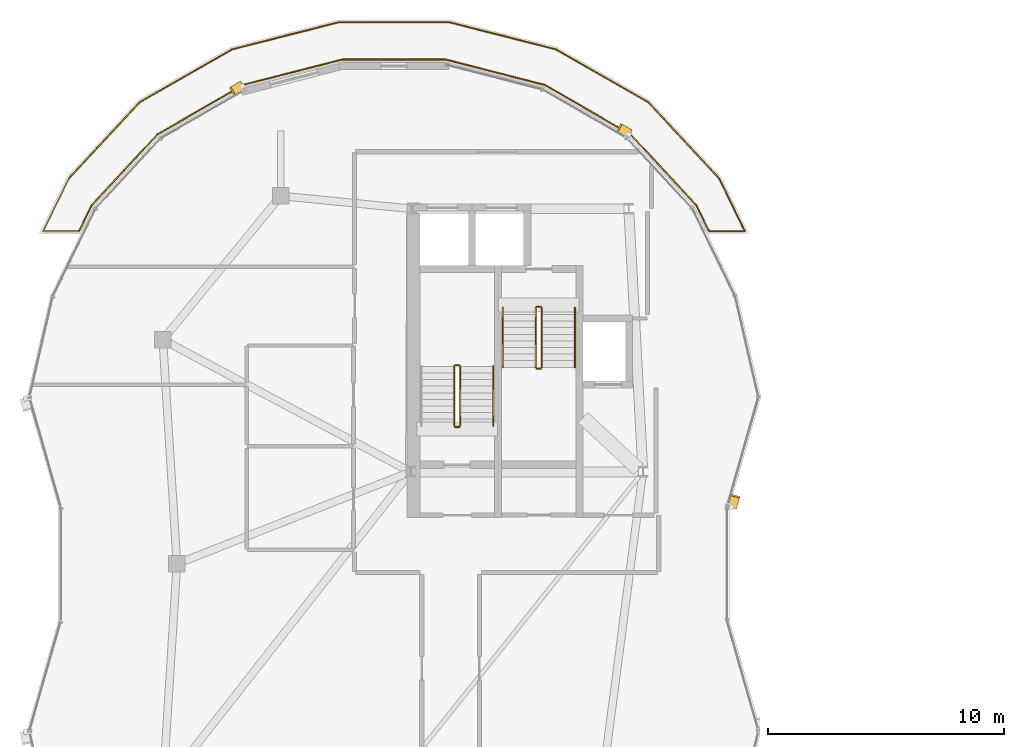
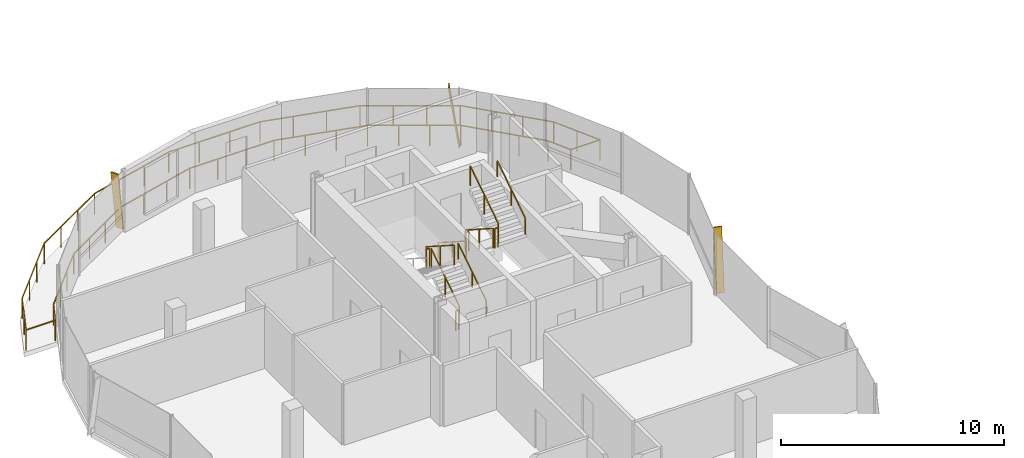
# One storey, part 18 of 20: 21 railings, 3 shading devices.
"""IFC4 building model written with IfcOpenShell, lengths in metres."""

from ifc_helpers import new_model, si_unit, direction, frame, origin, origin_2d, place, context, subcontext, project, spatial, rectangle, extrude, material, material_profile, profile_set, type_object, element, save


model = new_model("IFC4")

# Units and contexts
model_context = context("Model", 3, precision=1e-05, world=origin(), true_north=direction((0.0, 1.0)))
body_context = subcontext(model_context, "Body", "Model", "MODEL_VIEW")
ifc_project = project(units=[si_unit("LENGTHUNIT", "METRE"), si_unit("AREAUNIT", "SQUARE_METRE"), si_unit("VOLUMEUNIT", "CUBIC_METRE"), si_unit("PLANEANGLEUNIT", "RADIAN"), si_unit("MASSUNIT", "GRAM", prefix="KILO"), si_unit("THERMODYNAMICTEMPERATUREUNIT", "KELVIN"), si_unit("POWERUNIT", "WATT")], contexts=[model_context])

# Site, building, storey
site_placement = place(None, origin())
site = spatial("IfcSite", under=ifc_project, at=site_placement, CompositionType="ELEMENT")
building_placement = place(site_placement, origin())
building = spatial("IfcBuilding", under=site, at=building_placement, Name="Cundina Bronze Exchange", CompositionType="ELEMENT")
storey_placement = place(building_placement, frame((0.0, 0.0, 279.199951171875)))
storey = spatial("IfcBuildingStorey", under=building, at=storey_placement, Name="L74", CompositionType="ELEMENT", Elevation=279.199951171875)

# Railings
ifc_material_1 = material(Name="Anodised Bronze Aluminium 6063-T6", Category="aluminium")
railing_type_1 = type_object("IfcRailingType", Name="RLG-GRD-1150", PredefinedType="GUARDRAIL", material=ifc_material_1)
railing_1_placement = place(storey_placement, frame((-45.775634765625, 16.34765625, 0.0)))
element("IfcRailing", 1, at=railing_1_placement, inside=storey, type_object=railing_type_1, Name="L74 Perimeter Safety Guardrail 01", PredefinedType="GUARDRAIL", context=body_context, shape_type="SweptSolid", body=[
    extrude(rectangle(XDim=0.048095703125, YDim=0.048095703125, at=origin_2d()), frame((0.0, 0.0, 1.1259765625), z_axis=(0.6814708466, 0.731845260444, 0.0), x_axis=(-0.731845260444, 0.6814708466, 0.0)), (0.0, 0.0, 1.0), 4.395751953125),
    extrude(rectangle(XDim=0.048095703125, YDim=0.048095703125, at=origin_2d()), frame((2.99560546875, 3.217041015625, 1.1259765625), z_axis=(0.867447732917, 0.497528321462, 0.0), x_axis=(-0.497528321462, 0.867447732917, 0.0)), (0.0, 0.0, 1.0), 4.501708984375),
    extrude(rectangle(XDim=0.0419921875, YDim=0.0419921875, at=origin_2d()), origin(), (0.0, 0.0, 1.0), 1.101806640625),
    extrude(rectangle(XDim=0.0419921875, YDim=0.0419921875, at=origin_2d()), frame((0.99853515625, 1.072265625, 0.0)), (0.0, 0.0, 1.0), 1.101806640625),
    extrude(rectangle(XDim=0.0419921875, YDim=0.0419921875, at=origin_2d()), frame((1.9970703125, 2.144775390625, 0.0)), (0.0, 0.0, 1.0), 1.101806640625),
    extrude(rectangle(XDim=0.0419921875, YDim=0.0419921875, at=origin_2d()), frame((2.99560546875, 3.217041015625, 0.0)), (0.0, 0.0, 1.0), 1.101806640625),
    extrude(rectangle(XDim=0.0419921875, YDim=0.0419921875, at=origin_2d()), frame((4.29736328125, 3.963623046875, 0.0)), (0.0, 0.0, 1.0), 1.101806640625),
    extrude(rectangle(XDim=0.0419921875, YDim=0.0419921875, at=origin_2d()), frame((5.598876953125, 4.710205078125, 0.0)), (0.0, 0.0, 1.0), 1.101806640625),
    extrude(rectangle(XDim=0.0419921875, YDim=0.0419921875, at=origin_2d()), frame((6.900634765625, 5.456787109375, 0.0)), (0.0, 0.0, 1.0), 1.101806640625),
])
railing_2_placement = place(storey_placement, frame((-38.875, 21.804443359375, 0.0)))
element("IfcRailing", 2, at=railing_2_placement, inside=storey, type_object=railing_type_1, Name="L74 Perimeter Safety Guardrail 02", PredefinedType="GUARDRAIL", context=body_context, shape_type="SweptSolid", body=[
    extrude(rectangle(XDim=0.048095703125, YDim=0.048095703125, at=origin_2d()), frame((0.0, 0.0, 1.1259765625), z_axis=(0.969056834208, 0.246837703916, 0.0), x_axis=(-0.246837703916, 0.969056834208, 0.0)), (0.0, 0.0, 1.0), 4.657470703125),
    extrude(rectangle(XDim=0.048095703125, YDim=0.048095703125, at=origin_2d()), frame((4.513427734375, 1.149658203125, 1.1259765625), z_axis=(1.0, 0.0, 0.0), x_axis=(0.0, 1.0, 0.0)), (0.0, 0.0, 1.0), 4.72314453125),
    extrude(rectangle(XDim=0.0419921875, YDim=0.0419921875, at=origin_2d()), origin(), (0.0, 0.0, 1.0), 1.101806640625),
    extrude(rectangle(XDim=0.0419921875, YDim=0.0419921875, at=origin_2d()), frame((1.50439453125, 0.38330078125, 0.0)), (0.0, 0.0, 1.0), 1.101806640625),
    extrude(rectangle(XDim=0.0419921875, YDim=0.0419921875, at=origin_2d()), frame((3.009033203125, 0.766357421875, 0.0)), (0.0, 0.0, 1.0), 1.101806640625),
    extrude(rectangle(XDim=0.0419921875, YDim=0.0419921875, at=origin_2d()), frame((4.513427734375, 1.149658203125, 0.0)), (0.0, 0.0, 1.0), 1.101806640625),
    extrude(rectangle(XDim=0.0419921875, YDim=0.0419921875, at=origin_2d()), frame((6.087890625, 1.149658203125, 0.0)), (0.0, 0.0, 1.0), 1.101806640625),
    extrude(rectangle(XDim=0.0419921875, YDim=0.0419921875, at=origin_2d()), frame((7.662109375, 1.149658203125, 0.0)), (0.0, 0.0, 1.0), 1.101806640625),
    extrude(rectangle(XDim=0.0419921875, YDim=0.0419921875, at=origin_2d()), frame((9.236572265625, 1.149658203125, 0.0)), (0.0, 0.0, 1.0), 1.101806640625),
])
railing_3_placement = place(storey_placement, frame((-29.638427734375, 22.9541015625, 0.0)))
element("IfcRailing", 3, at=railing_3_placement, inside=storey, type_object=railing_type_1, Name="L74 Perimeter Safety Guardrail 03", PredefinedType="GUARDRAIL", context=body_context, shape_type="SweptSolid", body=[
    extrude(rectangle(XDim=0.048095703125, YDim=0.048095703125, at=origin_2d()), frame((0.0, 0.0, 1.1259765625), z_axis=(0.969056834208, -0.246837703916, 0.0), x_axis=(0.246837703916, 0.969056834208, 0.0)), (0.0, 0.0, 1.0), 4.657470703125),
    extrude(rectangle(XDim=0.048095703125, YDim=0.048095703125, at=origin_2d()), frame((4.513427734375, -1.149658203125, 1.1259765625), z_axis=(0.867447732917, -0.497528321462, 0.0), x_axis=(0.497528321462, 0.867447732917, 0.0)), (0.0, 0.0, 1.0), 4.501708984375),
    extrude(rectangle(XDim=0.0419921875, YDim=0.0419921875, at=origin_2d()), origin(), (0.0, 0.0, 1.0), 1.101806640625),
    extrude(rectangle(XDim=0.0419921875, YDim=0.0419921875, at=origin_2d()), frame((1.50439453125, -0.38330078125, 0.0)), (0.0, 0.0, 1.0), 1.101806640625),
    extrude(rectangle(XDim=0.0419921875, YDim=0.0419921875, at=origin_2d()), frame((3.009033203125, -0.766357421875, 0.0)), (0.0, 0.0, 1.0), 1.101806640625),
    extrude(rectangle(XDim=0.0419921875, YDim=0.0419921875, at=origin_2d()), frame((4.513427734375, -1.149658203125, 0.0)), (0.0, 0.0, 1.0), 1.101806640625),
    extrude(rectangle(XDim=0.0419921875, YDim=0.0419921875, at=origin_2d()), frame((5.815185546875, -1.896240234375, 0.0)), (0.0, 0.0, 1.0), 1.101806640625),
    extrude(rectangle(XDim=0.0419921875, YDim=0.0419921875, at=origin_2d()), frame((7.11669921875, -2.642822265625, 0.0)), (0.0, 0.0, 1.0), 1.101806640625),
    extrude(rectangle(XDim=0.0419921875, YDim=0.0419921875, at=origin_2d()), frame((8.41845703125, -3.389404296875, 0.0)), (0.0, 0.0, 1.0), 1.101806640625),
])
railing_4_placement = place(storey_placement, frame((-21.219970703125, 19.564697265625, 0.0)))
element("IfcRailing", 4, at=railing_4_placement, inside=storey, type_object=railing_type_1, Name="L74 Perimeter Safety Guardrail 04", PredefinedType="GUARDRAIL", context=body_context, shape_type="SweptSolid", body=[
    extrude(rectangle(XDim=0.048095703125, YDim=0.048095703125, at=origin_2d()), frame((0.0, 0.0, 1.1259765625), z_axis=(0.6814708466, -0.731845260444, 0.0), x_axis=(0.731845260444, 0.6814708466, 0.0)), (0.0, 0.0, 1.0), 4.395751953125),
    extrude(rectangle(XDim=0.048095703125, YDim=0.048095703125, at=origin_2d()), frame((2.99560546875, -3.217041015625, 1.1259765625), z_axis=(0.439469116008, -0.898257700259, 0.0), x_axis=(0.898257700259, 0.439469116008, 0.0)), (0.0, 0.0, 1.0), 2.502197265625),
    extrude(rectangle(XDim=0.0419921875, YDim=0.0419921875, at=origin_2d()), origin(), (0.0, 0.0, 1.0), 1.101806640625),
    extrude(rectangle(XDim=0.0419921875, YDim=0.0419921875, at=origin_2d()), frame((0.99853515625, -1.072265625, 0.0)), (0.0, 0.0, 1.0), 1.101806640625),
    extrude(rectangle(XDim=0.0419921875, YDim=0.0419921875, at=origin_2d()), frame((1.9970703125, -2.144775390625, 0.0)), (0.0, 0.0, 1.0), 1.101806640625),
    extrude(rectangle(XDim=0.0419921875, YDim=0.0419921875, at=origin_2d()), frame((2.99560546875, -3.217041015625, 0.0)), (0.0, 0.0, 1.0), 1.101806640625),
    extrude(rectangle(XDim=0.0419921875, YDim=0.0419921875, at=origin_2d()), frame((3.54541015625, -4.3408203125, 0.0)), (0.0, 0.0, 1.0), 1.101806640625),
    extrude(rectangle(XDim=0.0419921875, YDim=0.0419921875, at=origin_2d()), frame((4.09521484375, -5.464599609375, 0.0)), (0.0, 0.0, 1.0), 1.101806640625),
])
railing_5_placement = place(storey_placement, frame((-17.124755859375, 14.10009765625, 0.0)))
element("IfcRailing", 5, at=railing_5_placement, inside=storey, type_object=railing_type_1, Name="L74 Perimeter Safety Guardrail 05", PredefinedType="GUARDRAIL", context=body_context, shape_type="SweptSolid", body=[
    extrude(rectangle(XDim=0.048095703125, YDim=0.048095703125, at=origin_2d()), frame((0.0, 0.0, 1.1259765625), z_axis=(-1.0, 0.0, 0.0), x_axis=(0.0, -1.0, 0.0)), (0.0, 0.0, 1.0), 1.5185546875),
    extrude(rectangle(XDim=0.048095703125, YDim=0.048095703125, at=origin_2d()), frame((-1.5185546875, 0.0, 1.1259765625), z_axis=(-0.441657034824, 0.89718396307, 0.0), x_axis=(-0.89718396307, -0.441657034824, 0.0)), (0.0, 0.0, 1.0), 1.232177734375),
    extrude(rectangle(XDim=0.0419921875, YDim=0.0419921875, at=origin_2d()), origin(), (0.0, 0.0, 1.0), 1.101806640625),
    extrude(rectangle(XDim=0.0419921875, YDim=0.0419921875, at=origin_2d()), frame((-1.5185546875, 0.0, 0.0)), (0.0, 0.0, 1.0), 1.101806640625),
    extrude(rectangle(XDim=0.0419921875, YDim=0.0419921875, at=origin_2d()), frame((-2.062744140625, 1.10546875, 0.0)), (0.0, 0.0, 1.0), 1.101806640625),
])
railing_6_placement = place(storey_placement, frame((-19.1875, 15.20556640625, 0.0)))
element("IfcRailing", 6, at=railing_6_placement, inside=storey, type_object=railing_type_1, Name="L74 Perimeter Safety Guardrail 06", PredefinedType="GUARDRAIL", context=body_context, shape_type="SweptSolid", body=[
    extrude(rectangle(XDim=0.048095703125, YDim=0.048095703125, at=origin_2d()), frame((0.0, 0.0, 1.1259765625), z_axis=(-0.680512906309, 0.732736094611, 0.0), x_axis=(-0.732736094611, -0.680512906309, 0.0)), (0.0, 0.0, 1.0), 4.090576171875),
    extrude(rectangle(XDim=0.048095703125, YDim=0.048095703125, at=origin_2d()), frame((-2.78369140625, 2.997314453125, 1.1259765625), z_axis=(-0.866055627774, 0.49994764686, 0.0), x_axis=(-0.49994764686, -0.866055627774, 0.0)), (0.0, 0.0, 1.0), 4.19189453125),
    extrude(rectangle(XDim=0.0419921875, YDim=0.0419921875, at=origin_2d()), origin(), (0.0, 0.0, 1.0), 1.101806640625),
    extrude(rectangle(XDim=0.0419921875, YDim=0.0419921875, at=origin_2d()), frame((-0.927978515625, 0.9990234375, 0.0)), (0.0, 0.0, 1.0), 1.101806640625),
    extrude(rectangle(XDim=0.0419921875, YDim=0.0419921875, at=origin_2d()), frame((-1.855712890625, 1.998291015625, 0.0)), (0.0, 0.0, 1.0), 1.101806640625),
    extrude(rectangle(XDim=0.0419921875, YDim=0.0419921875, at=origin_2d()), frame((-2.78369140625, 2.997314453125, 0.0)), (0.0, 0.0, 1.0), 1.101806640625),
    extrude(rectangle(XDim=0.0419921875, YDim=0.0419921875, at=origin_2d()), frame((-3.993896484375, 3.69580078125, 0.0)), (0.0, 0.0, 1.0), 1.101806640625),
    extrude(rectangle(XDim=0.0419921875, YDim=0.0419921875, at=origin_2d()), frame((-5.203857421875, 4.39453125, 0.0)), (0.0, 0.0, 1.0), 1.101806640625),
    extrude(rectangle(XDim=0.0419921875, YDim=0.0419921875, at=origin_2d()), frame((-6.4140625, 5.093017578125, 0.0)), (0.0, 0.0, 1.0), 1.101806640625),
])
railing_7_placement = place(storey_placement, frame((-25.6015625, 20.298583984375, 0.0)))
element("IfcRailing", 7, at=railing_7_placement, inside=storey, type_object=railing_type_1, Name="L74 Perimeter Safety Guardrail 07", PredefinedType="GUARDRAIL", context=body_context, shape_type="SweptSolid", body=[
    extrude(rectangle(XDim=0.048095703125, YDim=0.048095703125, at=origin_2d()), frame((0.0, 0.0, 1.1259765625), z_axis=(-0.968635825171, 0.248484684025, 0.0), x_axis=(-0.248484684025, -0.968635825171, 0.0)), (0.0, 0.0, 1.0), 4.3515625),
    extrude(rectangle(XDim=0.048095703125, YDim=0.048095703125, at=origin_2d()), frame((-4.215087890625, 1.081298828125, 1.1259765625), z_axis=(-0.999999985988, -0.00016740137, 0.0), x_axis=(0.00016740137, -0.999999985988, 0.0)), (0.0, 0.0, 1.0), 4.375244140625),
    extrude(rectangle(XDim=0.0419921875, YDim=0.0419921875, at=origin_2d()), origin(), (0.0, 0.0, 1.0), 1.101806640625),
    extrude(rectangle(XDim=0.0419921875, YDim=0.0419921875, at=origin_2d()), frame((-1.405029296875, 0.3603515625, 0.0)), (0.0, 0.0, 1.0), 1.101806640625),
    extrude(rectangle(XDim=0.0419921875, YDim=0.0419921875, at=origin_2d()), frame((-2.81005859375, 0.720947265625, 0.0)), (0.0, 0.0, 1.0), 1.101806640625),
    extrude(rectangle(XDim=0.0419921875, YDim=0.0419921875, at=origin_2d()), frame((-4.215087890625, 1.081298828125, 0.0)), (0.0, 0.0, 1.0), 1.101806640625),
    extrude(rectangle(XDim=0.0419921875, YDim=0.0419921875, at=origin_2d()), frame((-5.673583984375, 1.0810546875, 0.0)), (0.0, 0.0, 1.0), 1.101806640625),
    extrude(rectangle(XDim=0.0419921875, YDim=0.0419921875, at=origin_2d()), frame((-7.1318359375, 1.080810546875, 0.0)), (0.0, 0.0, 1.0), 1.101806640625),
    extrude(rectangle(XDim=0.0419921875, YDim=0.0419921875, at=origin_2d()), frame((-8.59033203125, 1.08056640625, 0.0)), (0.0, 0.0, 1.0), 1.101806640625),
])
railing_8_placement = place(storey_placement, frame((-34.19189453125, 21.379150390625, 0.0)))
element("IfcRailing", 8, at=railing_8_placement, inside=storey, type_object=railing_type_1, Name="L74 Perimeter Safety Guardrail 08", PredefinedType="GUARDRAIL", context=body_context, shape_type="SweptSolid", body=[
    extrude(rectangle(XDim=0.048095703125, YDim=0.048095703125, at=origin_2d()), frame((0.0, 0.0, 1.1259765625), z_axis=(-0.968729595543, -0.248118864093, 0.0), x_axis=(0.248118864093, -0.968729595543, 0.0)), (0.0, 0.0, 1.0), 4.328369140625),
    extrude(rectangle(XDim=0.048095703125, YDim=0.048095703125, at=origin_2d()), frame((-4.193115234375, -1.073974609375, 1.1259765625), z_axis=(-0.86617495788, -0.499740875196, 0.0), x_axis=(0.499740875196, -0.86617495788, 0.0)), (0.0, 0.0, 1.0), 4.206787109375),
    extrude(rectangle(XDim=0.0419921875, YDim=0.0419921875, at=origin_2d()), origin(), (0.0, 0.0, 1.0), 1.101806640625),
    extrude(rectangle(XDim=0.0419921875, YDim=0.0419921875, at=origin_2d()), frame((-1.397705078125, -0.35791015625, 0.0)), (0.0, 0.0, 1.0), 1.101806640625),
    extrude(rectangle(XDim=0.0419921875, YDim=0.0419921875, at=origin_2d()), frame((-2.79541015625, -0.716064453125, 0.0)), (0.0, 0.0, 1.0), 1.101806640625),
    extrude(rectangle(XDim=0.0419921875, YDim=0.0419921875, at=origin_2d()), frame((-4.193115234375, -1.073974609375, 0.0)), (0.0, 0.0, 1.0), 1.101806640625),
    extrude(rectangle(XDim=0.0419921875, YDim=0.0419921875, at=origin_2d()), frame((-5.40771484375, -1.774658203125, 0.0)), (0.0, 0.0, 1.0), 1.101806640625),
    extrude(rectangle(XDim=0.0419921875, YDim=0.0419921875, at=origin_2d()), frame((-6.622314453125, -2.4755859375, 0.0)), (0.0, 0.0, 1.0), 1.101806640625),
    extrude(rectangle(XDim=0.0419921875, YDim=0.0419921875, at=origin_2d()), frame((-7.8369140625, -3.17626953125, 0.0)), (0.0, 0.0, 1.0), 1.101806640625),
])
railing_9_placement = place(storey_placement, frame((-42.02880859375, 18.202880859375, 0.0)))
element("IfcRailing", 9, at=railing_9_placement, inside=storey, type_object=railing_type_1, Name="L74 Perimeter Safety Guardrail 09", PredefinedType="GUARDRAIL", context=body_context, shape_type="SweptSolid", body=[
    extrude(rectangle(XDim=0.048095703125, YDim=0.048095703125, at=origin_2d()), frame((0.0, 0.0, 1.1259765625), z_axis=(-0.680512906309, -0.732736094611, 0.0), x_axis=(0.732736094611, -0.680512906309, 0.0)), (0.0, 0.0, 1.0), 4.090576171875),
    extrude(rectangle(XDim=0.048095703125, YDim=0.048095703125, at=origin_2d()), frame((-2.78369140625, -2.997314453125, 1.1259765625), z_axis=(-0.441657034824, -0.89718396307, 0.0), x_axis=(0.89718396307, -0.441657034824, 0.0)), (0.0, 0.0, 1.0), 1.232177734375),
    extrude(rectangle(XDim=0.0419921875, YDim=0.0419921875, at=origin_2d()), origin(), (0.0, 0.0, 1.0), 1.101806640625),
    extrude(rectangle(XDim=0.0419921875, YDim=0.0419921875, at=origin_2d()), frame((-0.927978515625, -0.9990234375, 0.0)), (0.0, 0.0, 1.0), 1.101806640625),
    extrude(rectangle(XDim=0.0419921875, YDim=0.0419921875, at=origin_2d()), frame((-1.855712890625, -1.998291015625, 0.0)), (0.0, 0.0, 1.0), 1.101806640625),
    extrude(rectangle(XDim=0.0419921875, YDim=0.0419921875, at=origin_2d()), frame((-2.78369140625, -2.997314453125, 0.0)), (0.0, 0.0, 1.0), 1.101806640625),
    extrude(rectangle(XDim=0.0419921875, YDim=0.0419921875, at=origin_2d()), frame((-3.327880859375, -4.102783203125, 0.0)), (0.0, 0.0, 1.0), 1.101806640625),
])
railing_10_placement = place(storey_placement, frame((-45.356689453125, 14.10009765625, 0.0)))
element("IfcRailing", 10, at=railing_10_placement, inside=storey, type_object=railing_type_1, Name="L74 Perimeter Safety Guardrail 10", PredefinedType="GUARDRAIL", context=body_context, shape_type="SweptSolid", body=[
    extrude(rectangle(XDim=0.048095703125, YDim=0.048095703125, at=origin_2d()), frame((0.0, 0.0, 1.1259765625), z_axis=(-1.0, 0.0, 0.0), x_axis=(0.0, -1.0, 0.0)), (0.0, 0.0, 1.0), 1.5185546875),
    extrude(rectangle(XDim=0.048095703125, YDim=0.048095703125, at=origin_2d()), frame((-1.5185546875, 0.0, 1.1259765625), z_axis=(0.439469116008, 0.898257700259, 0.0), x_axis=(-0.898257700259, 0.439469116008, 0.0)), (0.0, 0.0, 1.0), 2.502197265625),
    extrude(rectangle(XDim=0.0419921875, YDim=0.0419921875, at=origin_2d()), origin(), (0.0, 0.0, 1.0), 1.101806640625),
    extrude(rectangle(XDim=0.0419921875, YDim=0.0419921875, at=origin_2d()), frame((-1.5185546875, 0.0, 0.0)), (0.0, 0.0, 1.0), 1.101806640625),
    extrude(rectangle(XDim=0.0419921875, YDim=0.0419921875, at=origin_2d()), frame((-0.96875, 1.123779296875, 0.0)), (0.0, 0.0, 1.0), 1.101806640625),
    extrude(rectangle(XDim=0.0419921875, YDim=0.0419921875, at=origin_2d()), frame((-0.4189453125, 2.24755859375, 0.0)), (0.0, 0.0, 1.0), 1.101806640625),
])
ifc_material_2 = material(Name="Steel ASTM A36 Painted", Category="steel")
railing_type_2 = type_object("IfcRailingType", Name="RLG-HND-900", PredefinedType="HANDRAIL", material=ifc_material_2)
railing_11_placement = place(storey_placement, frame((-27.7900390625, 5.85009765625, 0.179931640625)))
element("IfcRailing", 11, at=railing_11_placement, inside=storey, type_object=railing_type_2, Name="L74 ST-W1 stair handrail 1", PredefinedType="HANDRAIL", context=body_context, shape_type="SweptSolid", body=[
    extrude(rectangle(XDim=0.048095703125, YDim=0.048095703125, at=origin_2d()), frame((0.0, 0.0, 0.8759765625), z_axis=(0.0, 0.841162588446, 0.540782303519), x_axis=(-1.0, 0.0, 0.0)), (0.0, 0.0, 1.0), 2.995849609375),
    extrude(rectangle(XDim=0.0419921875, YDim=0.0419921875, at=origin_2d()), origin(), (0.0, 0.0, 1.0), 0.851806640625),
    extrude(rectangle(XDim=0.0419921875, YDim=0.0419921875, at=origin_2d()), frame((0.0, 1.260009765625, 0.81005859375)), (0.0, 0.0, 1.0), 0.851806640625),
    extrude(rectangle(XDim=0.0419921875, YDim=0.0419921875, at=origin_2d()), frame((0.0, 2.52001953125, 1.6201171875)), (0.0, 0.0, 1.0), 0.851806640625),
])
railing_12_placement = place(storey_placement, frame((-27.389892578125, 10.85009765625, 0.179931640625)))
element("IfcRailing", 12, at=railing_12_placement, inside=storey, type_object=railing_type_2, Name="L74 ST-W2 stair handrail 1", PredefinedType="HANDRAIL", context=body_context, shape_type="SweptSolid", body=[
    extrude(rectangle(XDim=0.048095703125, YDim=0.048095703125, at=origin_2d()), frame((0.0, 0.0, 0.8759765625), z_axis=(0.0, -0.841162588446, 0.540782303519), x_axis=(1.0, 0.0, 0.0)), (0.0, 0.0, 1.0), 2.995849609375),
    extrude(rectangle(XDim=0.0419921875, YDim=0.0419921875, at=origin_2d()), origin(), (0.0, 0.0, 1.0), 0.851806640625),
    extrude(rectangle(XDim=0.0419921875, YDim=0.0419921875, at=origin_2d()), frame((0.0, -1.260009765625, 0.81005859375)), (0.0, 0.0, 1.0), 0.851806640625),
    extrude(rectangle(XDim=0.0419921875, YDim=0.0419921875, at=origin_2d()), frame((0.0, -2.52001953125, 1.6201171875)), (0.0, 0.0, 1.0), 0.851806640625),
])
railing_13_placement = place(storey_placement, frame((-24.330078125, 8.330078125, 1.97998046875)))
element("IfcRailing", 13, at=railing_13_placement, inside=storey, type_object=railing_type_2, Name="L74 ST-W2 stair handrail 2", PredefinedType="HANDRAIL", context=body_context, shape_type="SweptSolid", body=[
    extrude(rectangle(XDim=0.048095703125, YDim=0.048095703125, at=origin_2d()), frame((0.0, 0.0, 0.8759765625), z_axis=(0.0, 0.841162588446, 0.540782303519), x_axis=(-1.0, 0.0, 0.0)), (0.0, 0.0, 1.0), 2.995849609375),
    extrude(rectangle(XDim=0.0419921875, YDim=0.0419921875, at=origin_2d()), origin(), (0.0, 0.0, 1.0), 0.851806640625),
    extrude(rectangle(XDim=0.0419921875, YDim=0.0419921875, at=origin_2d()), frame((0.0, 1.260009765625, 0.81005859375)), (0.0, 0.0, 1.0), 0.851806640625),
    extrude(rectangle(XDim=0.0419921875, YDim=0.0419921875, at=origin_2d()), frame((0.0, 2.52001953125, 1.6201171875)), (0.0, 0.0, 1.0), 0.851806640625),
])
railing_type_3 = type_object("IfcRailingType", Name="RLG-STG-1100", PredefinedType="GUARDRAIL", material=ifc_material_2)
railing_14_placement = place(storey_placement, frame((-29.18994140625, 5.85009765625, 0.179931640625)))
element("IfcRailing", 14, at=railing_14_placement, inside=storey, type_object=railing_type_3, Name="L74 ST-W1 stair guard 1", PredefinedType="GUARDRAIL", context=body_context, shape_type="SweptSolid", body=[
    extrude(rectangle(XDim=0.048095703125, YDim=0.048095703125, at=origin_2d()), frame((0.0, 0.0, 1.076171875), z_axis=(0.0, 0.841162588446, 0.540782303519), x_axis=(-1.0, 0.0, 0.0)), (0.0, 0.0, 1.0), 2.995849609375),
    extrude(rectangle(XDim=0.0419921875, YDim=0.0419921875, at=origin_2d()), origin(), (0.0, 0.0, 1.0), 1.052001953125),
    extrude(rectangle(XDim=0.0419921875, YDim=0.0419921875, at=origin_2d()), frame((0.0, 1.260009765625, 0.81005859375)), (0.0, 0.0, 1.0), 1.052001953125),
    extrude(rectangle(XDim=0.0419921875, YDim=0.0419921875, at=origin_2d()), frame((0.0, 2.52001953125, 1.6201171875)), (0.0, 0.0, 1.0), 1.052001953125),
])
railing_15_placement = place(storey_placement, frame((-29.239990234375, 8.419921875, 1.800048828125)))
element("IfcRailing", 15, at=railing_15_placement, inside=storey, type_object=railing_type_3, Name="L74 ST-W1 stair guard 2", PredefinedType="GUARDRAIL", context=body_context, shape_type="SweptSolid", body=[
    extrude(rectangle(XDim=0.048095703125, YDim=0.048095703125, at=origin_2d()), frame((0.0, 0.0, 1.076171875), z_axis=(-1.0, 0.0, 0.0), x_axis=(0.0, -1.0, 0.0)), (0.0, 0.0, 1.0), 0.159912109375),
    extrude(rectangle(XDim=0.0419921875, YDim=0.0419921875, at=origin_2d()), origin(), (0.0, 0.0, 1.0), 1.052001953125),
    extrude(rectangle(XDim=0.0419921875, YDim=0.0419921875, at=origin_2d()), frame((-0.159912109375, 0.0, 0.0)), (0.0, 0.0, 1.0), 1.052001953125),
])
railing_16_placement = place(storey_placement, frame((-29.449951171875, 8.3701171875, 1.97998046875)))
element("IfcRailing", 16, at=railing_16_placement, inside=storey, type_object=railing_type_3, Name="L74 ST-W1 stair guard 3", PredefinedType="GUARDRAIL", context=body_context, shape_type="SweptSolid", body=[
    extrude(rectangle(XDim=0.048095703125, YDim=0.048095703125, at=origin_2d()), frame((0.0, 0.0, 1.076171875), z_axis=(0.0, -0.841162588446, 0.540782303519), x_axis=(1.0, 0.0, 0.0)), (0.0, 0.0, 1.0), 2.995849609375),
    extrude(rectangle(XDim=0.0419921875, YDim=0.0419921875, at=origin_2d()), origin(), (0.0, 0.0, 1.0), 1.052001953125),
    extrude(rectangle(XDim=0.0419921875, YDim=0.0419921875, at=origin_2d()), frame((0.0, -1.260009765625, 0.81005859375)), (0.0, 0.0, 1.0), 1.052001953125),
    extrude(rectangle(XDim=0.0419921875, YDim=0.0419921875, at=origin_2d()), frame((0.0, -2.52001953125, 1.6201171875)), (0.0, 0.0, 1.0), 1.052001953125),
])
railing_17_placement = place(storey_placement, frame((-29.239990234375, 5.800048828125, 0.0)))
element("IfcRailing", 17, at=railing_17_placement, inside=storey, type_object=railing_type_3, Name="L74 ST-W1 stair guard 4", PredefinedType="GUARDRAIL", context=body_context, shape_type="SweptSolid", body=[
    extrude(rectangle(XDim=0.048095703125, YDim=0.048095703125, at=origin_2d()), frame((0.0, 0.0, 1.076171875), z_axis=(-1.0, 0.0, 0.0), x_axis=(0.0, -1.0, 0.0)), (0.0, 0.0, 1.0), 0.159912109375),
    extrude(rectangle(XDim=0.0419921875, YDim=0.0419921875, at=origin_2d()), origin(), (0.0, 0.0, 1.0), 1.052001953125),
    extrude(rectangle(XDim=0.0419921875, YDim=0.0419921875, at=origin_2d()), frame((-0.159912109375, 0.0, 0.0)), (0.0, 0.0, 1.0), 1.052001953125),
])
railing_18_placement = place(storey_placement, frame((-25.989990234375, 10.85009765625, 0.179931640625)))
element("IfcRailing", 18, at=railing_18_placement, inside=storey, type_object=railing_type_3, Name="L74 ST-W2 stair guard 1", PredefinedType="GUARDRAIL", context=body_context, shape_type="SweptSolid", body=[
    extrude(rectangle(XDim=0.048095703125, YDim=0.048095703125, at=origin_2d()), frame((0.0, 0.0, 1.076171875), z_axis=(0.0, -0.841162588446, 0.540782303519), x_axis=(1.0, 0.0, 0.0)), (0.0, 0.0, 1.0), 2.995849609375),
    extrude(rectangle(XDim=0.0419921875, YDim=0.0419921875, at=origin_2d()), origin(), (0.0, 0.0, 1.0), 1.052001953125),
    extrude(rectangle(XDim=0.0419921875, YDim=0.0419921875, at=origin_2d()), frame((0.0, -1.260009765625, 0.81005859375)), (0.0, 0.0, 1.0), 1.052001953125),
    extrude(rectangle(XDim=0.0419921875, YDim=0.0419921875, at=origin_2d()), frame((0.0, -2.52001953125, 1.6201171875)), (0.0, 0.0, 1.0), 1.052001953125),
])
railing_19_placement = place(storey_placement, frame((-25.93994140625, 8.280029296875, 1.800048828125)))
element("IfcRailing", 19, at=railing_19_placement, inside=storey, type_object=railing_type_3, Name="L74 ST-W2 stair guard 2", PredefinedType="GUARDRAIL", context=body_context, shape_type="SweptSolid", body=[
    extrude(rectangle(XDim=0.048095703125, YDim=0.048095703125, at=origin_2d()), frame((0.0, 0.0, 1.076171875), z_axis=(1.0, 0.0, 0.0), x_axis=(0.0, 1.0, 0.0)), (0.0, 0.0, 1.0), 0.159912109375),
    extrude(rectangle(XDim=0.0419921875, YDim=0.0419921875, at=origin_2d()), origin(), (0.0, 0.0, 1.0), 1.052001953125),
    extrude(rectangle(XDim=0.0419921875, YDim=0.0419921875, at=origin_2d()), frame((0.159912109375, 0.0, 0.0)), (0.0, 0.0, 1.0), 1.052001953125),
])
railing_20_placement = place(storey_placement, frame((-25.72998046875, 8.330078125, 1.97998046875)))
element("IfcRailing", 20, at=railing_20_placement, inside=storey, type_object=railing_type_3, Name="L74 ST-W2 stair guard 3", PredefinedType="GUARDRAIL", context=body_context, shape_type="SweptSolid", body=[
    extrude(rectangle(XDim=0.048095703125, YDim=0.048095703125, at=origin_2d()), frame((0.0, 0.0, 1.076171875), z_axis=(0.0, 0.841162588446, 0.540782303519), x_axis=(-1.0, 0.0, 0.0)), (0.0, 0.0, 1.0), 2.995849609375),
    extrude(rectangle(XDim=0.0419921875, YDim=0.0419921875, at=origin_2d()), origin(), (0.0, 0.0, 1.0), 1.052001953125),
    extrude(rectangle(XDim=0.0419921875, YDim=0.0419921875, at=origin_2d()), frame((0.0, 1.260009765625, 0.81005859375)), (0.0, 0.0, 1.0), 1.052001953125),
    extrude(rectangle(XDim=0.0419921875, YDim=0.0419921875, at=origin_2d()), frame((0.0, 2.52001953125, 1.6201171875)), (0.0, 0.0, 1.0), 1.052001953125),
])
railing_21_placement = place(storey_placement, frame((-25.93994140625, 10.89990234375, 0.0)))
element("IfcRailing", 21, at=railing_21_placement, inside=storey, type_object=railing_type_3, Name="L74 ST-W2 stair guard 4", PredefinedType="GUARDRAIL", context=body_context, shape_type="SweptSolid", body=[
    extrude(rectangle(XDim=0.048095703125, YDim=0.048095703125, at=origin_2d()), frame((0.0, 0.0, 1.076171875), z_axis=(1.0, 0.0, 0.0), x_axis=(0.0, 1.0, 0.0)), (0.0, 0.0, 1.0), 0.159912109375),
    extrude(rectangle(XDim=0.0419921875, YDim=0.0419921875, at=origin_2d()), origin(), (0.0, 0.0, 1.0), 1.052001953125),
    extrude(rectangle(XDim=0.0419921875, YDim=0.0419921875, at=origin_2d()), frame((0.159912109375, 0.0, 0.0)), (0.0, 0.0, 1.0), 1.052001953125),
])

# Shading devices
ifc_material_profile = material_profile(ifc_material_1, rectangle(XDim=0.070068359375, YDim=0.3798828125, at=origin_2d()), Name="FIN70X380", Category="aluminium")
ifc_profile_set = profile_set([ifc_material_profile], Name="Anodised Bronze Aluminium 6063-T6")
shading_device_type = type_object("IfcShadingDeviceType", Name="SHD-FIN-BRZ380", PredefinedType="USERDEFINED", material=ifc_profile_set)
for number, where, z_axis, x_axis, name in (
    (22, (-17.652099609375, 2.40673828125, 0.02001953125), (0.039460377516, 0.138440767871, 0.989584272509), (-0.271261429586, -0.951679709365, 0.143954741507), "L74 Diagonal Bronze Solar Fin 1"),
    (23, (-22.030517578125, 18.24658203125, 0.02001953125), (-0.124677846941, 0.071892921724, 0.989589229068), (0.857276852776, -0.494331103597, 0.143920664645), "L74 Diagonal Bronze Solar Fin 5"),
    (24, (-38.440185546875, 20.2802734375, 0.02001953125), (-0.12474991864, -0.07189226532, 0.989580193813), (0.857394553809, 0.49410883324, 0.143982776795), "L74 Diagonal Bronze Solar Fin 1"),
):
    element("IfcShadingDevice", number, at=place(storey_placement, frame(where, z_axis=z_axis, x_axis=x_axis)), inside=storey, type_object=shading_device_type, Name=name, ObjectType="FIN", PredefinedType="USERDEFINED", context=body_context, shape_type="SweptSolid", body=[
        extrude(rectangle(XDim=0.070068359375, YDim=0.3798828125, at=origin_2d()), origin(), (0.0, 0.0, 1.0), 3.334716796875),
    ])

save(model, "model.ifc")
